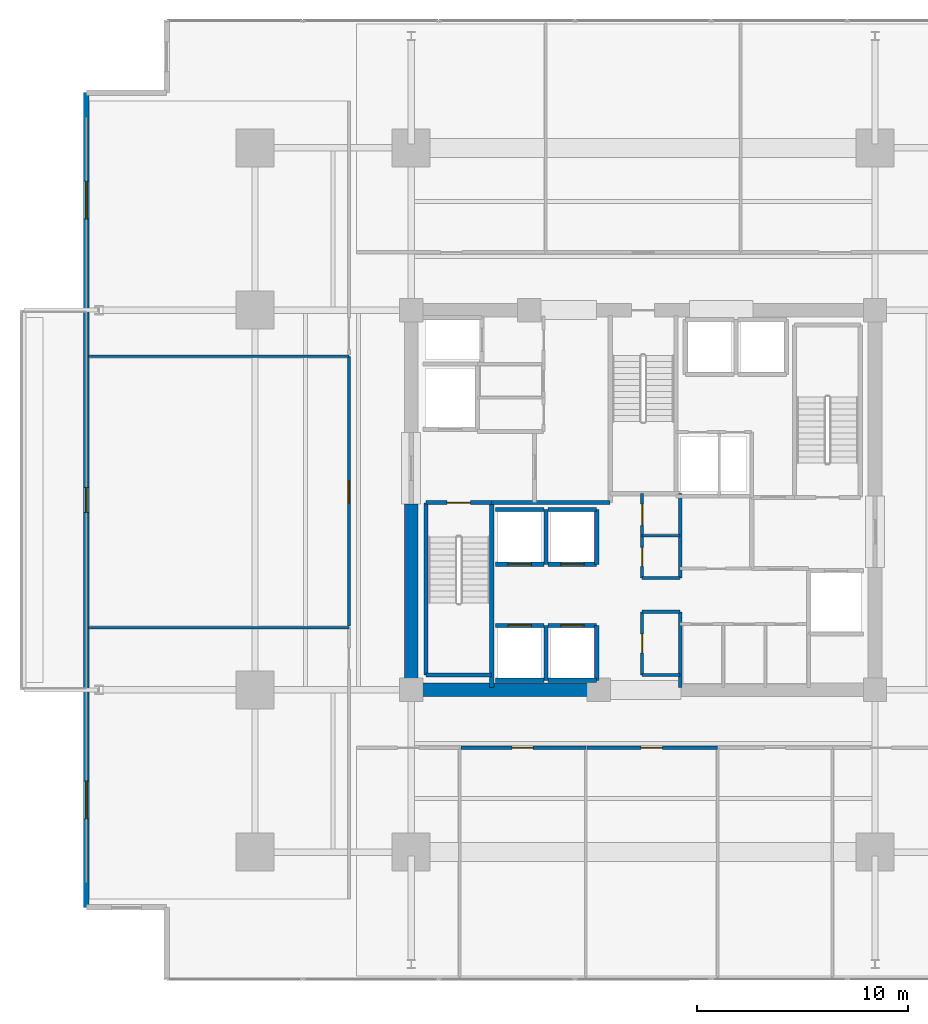
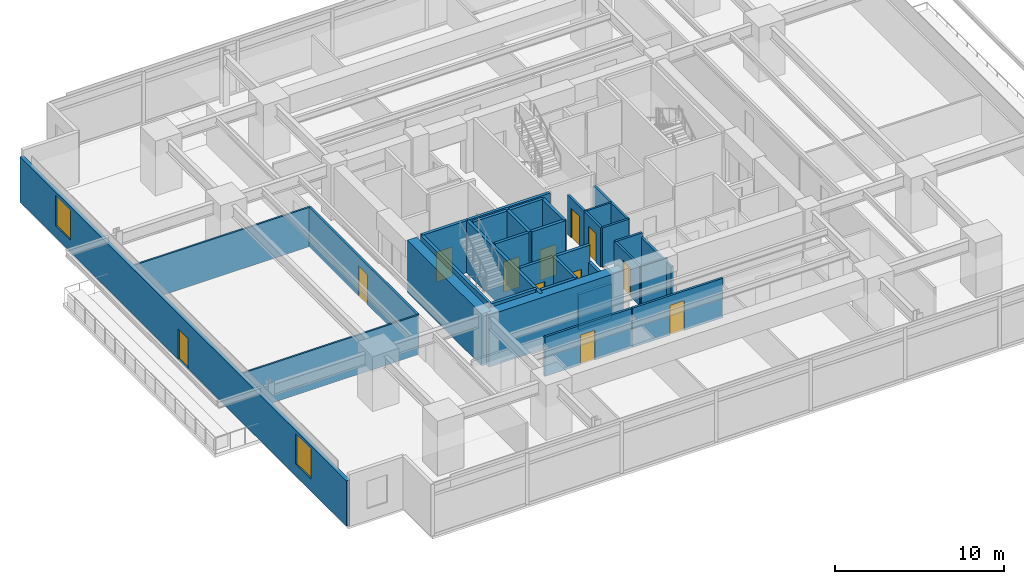
# One storey, part 15 of 22: 34 walls, 12 doors, 2 windows, 14 openings.
"""IFC4 building model written with IfcOpenShell, lengths in metres."""

from ifc_helpers import new_model, si_unit, direction, frame, frame_2d, origin, place, context, subcontext, project, spatial, rectangle, extrude, material, layer, layer_set, type_object, element, fill, save


model = new_model("IFC4")

# Units and contexts
model_context = context("Model", 3, precision=1e-05, world=origin(), true_north=direction((0.0, 1.0)))
body_context = subcontext(model_context, "Body", "Model", "MODEL_VIEW")
ifc_project = project(units=[si_unit("LENGTHUNIT", "METRE"), si_unit("AREAUNIT", "SQUARE_METRE"), si_unit("VOLUMEUNIT", "CUBIC_METRE"), si_unit("PLANEANGLEUNIT", "RADIAN"), si_unit("MASSUNIT", "GRAM", prefix="KILO")], contexts=[model_context])

# Site, building, storey
site_placement = place(None, origin())
site = spatial("IfcSite", under=ifc_project, at=site_placement, CompositionType="ELEMENT")
building_placement = place(site_placement, origin())
building = spatial("IfcBuilding", under=site, at=building_placement, Name="Kovane Verandah Tower", CompositionType="ELEMENT")
storey_placement = place(building_placement, frame((0.0, 0.0, 99.60009765625)))
storey = spatial("IfcBuildingStorey", under=building, at=storey_placement, Name="L23", CompositionType="ELEMENT", Elevation=99.60009765625)

# Walls
ifc_material_1 = material(Name="Fire-Rated Gypsum Stud Partition", Category="gypsum")
ifc_layer_1 = layer(ifc_material_1, 0.14990234375)
ifc_layer_set_1 = layer_set([ifc_layer_1], Name="Fire-Rated Gypsum Stud Partition")
wall_type_1 = type_object("IfcWallType", Name="WL-COR-150", PredefinedType="PARTITIONING", material=ifc_layer_set_1)
for number, where, z_axis, x_axis, name in (
    (1, (39.949951171875, 19.199951171875, 0.0), (0.0, 0.0, 1.0), (1.0, 0.0, 0.0), "L23 Central Core Strip South Wall"),
    (2, (39.949951171875, 22.199951171875, 0.0), (0.0, 0.0, 1.0), (1.0, 0.0, 0.0), "L23 Core Cross-Passage South Wall"),
    (3, (39.949951171875, 23.800048828125, 0.0), (0.0, 0.0, 1.0), (1.0, 0.0, 0.0), "L23 Core Cross-Passage North Wall"),
):
    element("IfcWall", number, at=place(storey_placement, frame(where, z_axis=z_axis, x_axis=x_axis)), inside=storey, type_object=wall_type_1, Name=name, PredefinedType="PARTITIONING", context=body_context, shape_type="SweptSolid", body=[
        extrude(rectangle(XDim=1.81005859375, YDim=0.14990234375, at=frame_2d((0.905029296875, 0.0))), origin(), (0.0, 0.0, 1.0), 2.849853515625),
    ])
wall_1_placement = place(storey_placement, frame((41.760009765625, 18.60009765625, 0.0), z_axis=(0.0, 0.0, 1.0), x_axis=(0.0, 1.0, 0.0)))
element("IfcWall", 4, at=wall_1_placement, inside=storey, type_object=wall_type_1, Name="L23 Central Core Strip Lower East Wall", PredefinedType="PARTITIONING", context=body_context, shape_type="SweptSolid", body=[
    extrude(rectangle(XDim=3.599853515625, YDim=0.14990234375, at=frame_2d((1.7998046875, 0.0))), origin(), (0.0, 0.0, 1.0), 2.539794921875),
])
wall_2_placement = place(storey_placement, frame((41.760009765625, 23.800048828125, 0.0), z_axis=(0.0, 0.0, 1.0), x_axis=(0.0, 1.0, 0.0)))
element("IfcWall", 5, at=wall_2_placement, inside=storey, type_object=wall_type_1, Name="L23 Central Core Strip Upper East Wall", PredefinedType="PARTITIONING", context=body_context, shape_type="SweptSolid", body=[
    extrude(rectangle(XDim=4.0, YDim=0.14990234375, at=frame_2d((2.0, 0.0))), origin(), (0.0, 0.0, 1.0), 2.849853515625),
])

# Wall, opening, door
wall_3_placement = place(storey_placement, frame((39.949951171875, 19.199951171875, 0.0), z_axis=(0.0, 0.0, 1.0), x_axis=(0.0, 1.0, 0.0)))
wall_3 = element("IfcWall", 6, at=wall_3_placement, inside=storey, type_object=wall_type_1, Name="L23 Male Toilet Partition", PredefinedType="PARTITIONING", context=body_context, shape_type="SweptSolid", body=[
    extrude(rectangle(XDim=3.0, YDim=0.14990234375, at=frame_2d((1.5, 0.0))), origin(), (0.0, 0.0, 1.0), 2.849853515625),
])
opening_1_placement = place(wall_3_placement, frame((1.050048828125, 0.0, 0.0)))
opening_1 = element("IfcOpeningElement", 7, at=opening_1_placement, cuts=wall_3, Name="Opening DR-L23-032", PredefinedType="OPENING", context=body_context, shape_type="SweptSolid", body=[
    extrude(rectangle(XDim=0.89990234375, YDim=2.10009765625, at=frame_2d((0.449951171875, 1.050048828125))), frame((0.0, 0.074951171875, 0.0), z_axis=(0.0, -1.0, 0.0), x_axis=(1.0, 0.0, 0.0)), (0.0, 0.0, 1.0), 0.14990234375),
])
ifc_material_2 = material(Name="Moisture-Resistant Laminate Washroom Door", Category="wood")
door_type_1 = type_object("IfcDoorType", Name="DR-WC-900", OperationType="SINGLE_SWING_LEFT", PredefinedType="DOOR", material=ifc_material_2)
door_1_placement = place(opening_1_placement, origin())
door_1 = element("IfcDoor", 8, at=door_1_placement, inside=storey, type_object=door_type_1, Name="L23 Male Toilet Door", OperationType="SINGLE_SWING_LEFT", OverallHeight=2.10009765625, OverallWidth=0.89990234375, PredefinedType="DOOR", context=body_context, shape_type="SweptSolid", body=[
    extrude(rectangle(XDim=0.89990234375, YDim=2.10009765625, at=frame_2d((0.449951171875, 1.050048828125))), frame((0.0, 0.02490234375, 0.0), z_axis=(0.0, -1.0, 0.0), x_axis=(1.0, 0.0, 0.0)), (0.0, 0.0, 1.0), 0.050048828125),
])
fill(opening_1, door_1)

wall_4_placement = place(storey_placement, frame((39.949951171875, 23.800048828125, 0.0), z_axis=(0.0, 0.0, 1.0), x_axis=(0.0, 1.0, 0.0)))
wall_4 = element("IfcWall", 9, at=wall_4_placement, inside=storey, type_object=wall_type_1, Name="L23 Female Toilet Partition", PredefinedType="PARTITIONING", context=body_context, shape_type="SweptSolid", body=[
    extrude(rectangle(XDim=2.0, YDim=0.14990234375, at=frame_2d((1.0, 0.0))), origin(), (0.0, 0.0, 1.0), 2.849853515625),
])
opening_2_placement = place(wall_4_placement, frame((0.550048828125, 0.0, 0.0)))
opening_2 = element("IfcOpeningElement", 10, at=opening_2_placement, cuts=wall_4, Name="Opening DR-L23-031", PredefinedType="OPENING", context=body_context, shape_type="SweptSolid", body=[
    extrude(rectangle(XDim=0.89990234375, YDim=2.10009765625, at=frame_2d((0.449951171875, 1.050048828125))), frame((0.0, 0.074951171875, 0.0), z_axis=(0.0, -1.0, 0.0), x_axis=(1.0, 0.0, 0.0)), (0.0, 0.0, 1.0), 0.14990234375),
])
door_2_placement = place(opening_2_placement, origin())
door_2 = element("IfcDoor", 11, at=door_2_placement, inside=storey, type_object=door_type_1, Name="L23 Female Toilet Door", OperationType="SINGLE_SWING_RIGHT", OverallHeight=2.10009765625, OverallWidth=0.89990234375, PredefinedType="DOOR", context=body_context, shape_type="SweptSolid", body=[
    extrude(rectangle(XDim=0.89990234375, YDim=2.10009765625, at=frame_2d((0.449951171875, 1.050048828125))), frame((0.0, 0.02490234375, 0.0), z_axis=(0.0, -1.0, 0.0), x_axis=(1.0, 0.0, 0.0)), (0.0, 0.0, 1.0), 0.050048828125),
])
fill(opening_2, door_2)

wall_5_placement = place(storey_placement, frame((39.949951171875, 25.800048828125, 0.0), z_axis=(0.0, 0.0, 1.0), x_axis=(0.0, 1.0, 0.0)))
wall_5 = element("IfcWall", 12, at=wall_5_placement, inside=storey, type_object=wall_type_1, Name="L23 Central First Aid and Wellness Room Partition", PredefinedType="PARTITIONING", context=body_context, shape_type="SweptSolid", body=[
    extrude(rectangle(XDim=2.0, YDim=0.14990234375, at=frame_2d((1.0, 0.0))), origin(), (0.0, 0.0, 1.0), 2.849853515625),
])
opening_3_placement = place(wall_5_placement, frame((0.5, 0.0, 0.0)))
opening_3 = element("IfcOpeningElement", 13, at=opening_3_placement, cuts=wall_5, Name="Opening DR-L23-029", PredefinedType="OPENING", context=body_context, shape_type="SweptSolid", body=[
    extrude(rectangle(XDim=1.0, YDim=2.14990234375, at=frame_2d((0.5, 1.074951171875))), frame((0.0, 0.074951171875, 0.0), z_axis=(0.0, -1.0, 0.0), x_axis=(1.0, 0.0, 0.0)), (0.0, 0.0, 1.0), 0.14990234375),
])
ifc_material_3 = material(Name="FSC Spotted-Gum Timber Fire-Rated Office Door", Category="wood")
door_type_2 = type_object("IfcDoorType", Name="DR-OFF-1000", OperationType="SINGLE_SWING_LEFT", PredefinedType="DOOR", material=ifc_material_3)
door_3_placement = place(opening_3_placement, origin())
door_3 = element("IfcDoor", 14, at=door_3_placement, inside=storey, type_object=door_type_2, Name="L23 Central First Aid and Wellness Room Door", OperationType="SINGLE_SWING_LEFT", OverallHeight=2.14990234375, OverallWidth=1.0, PredefinedType="DOOR", context=body_context, shape_type="SweptSolid", body=[
    extrude(rectangle(XDim=1.0, YDim=2.14990234375, at=frame_2d((0.5, 1.074951171875))), frame((0.0, 0.02490234375, 0.0), z_axis=(0.0, -1.0, 0.0), x_axis=(1.0, 0.0, 0.0)), (0.0, 0.0, 1.0), 0.050048828125),
])
fill(opening_3, door_3)

wall_6_placement = place(storey_placement, frame((31.365966796875, 15.75, 0.0), z_axis=(0.0, 0.0, 1.0), x_axis=(1.0, 0.0, 0.0)))
wall_6 = element("IfcWall", 15, at=wall_6_placement, inside=storey, type_object=wall_type_1, Name="L23 Focus Studio S2 Corridor Partition", PredefinedType="PARTITIONING", context=body_context, shape_type="SweptSolid", body=[
    extrude(rectangle(XDim=5.9140625, YDim=0.14990234375, at=frame_2d((2.95703125, 0.0))), origin(), (0.0, 0.0, 1.0), 2.849853515625),
])
opening_4_placement = place(wall_6_placement, frame((2.422119140625, 0.0, 0.0)))
opening_4 = element("IfcOpeningElement", 16, at=opening_4_placement, cuts=wall_6, Name="Opening DR-L23-025", PredefinedType="OPENING", context=body_context, shape_type="SweptSolid", body=[
    extrude(rectangle(XDim=1.0, YDim=2.14990234375, at=frame_2d((0.5, 1.074951171875))), frame((0.0, 0.074951171875, 0.0), z_axis=(0.0, -1.0, 0.0), x_axis=(1.0, 0.0, 0.0)), (0.0, 0.0, 1.0), 0.14990234375),
])
door_4_placement = place(opening_4_placement, origin())
door_4 = element("IfcDoor", 17, at=door_4_placement, inside=storey, type_object=door_type_2, Name="L23 Focus Studio S2 Entrance Door", OperationType="SINGLE_SWING_LEFT", OverallHeight=2.14990234375, OverallWidth=1.0, PredefinedType="DOOR", context=body_context, shape_type="SweptSolid", body=[
    extrude(rectangle(XDim=1.0, YDim=2.14990234375, at=frame_2d((0.5, 1.074951171875))), frame((0.0, 0.02490234375, 0.0), z_axis=(0.0, -1.0, 0.0), x_axis=(1.0, 0.0, 0.0)), (0.0, 0.0, 1.0), 0.050048828125),
])
fill(opening_4, door_4)

wall_7_placement = place(storey_placement, frame((37.35009765625, 15.75, 0.0), z_axis=(0.0, 0.0, 1.0), x_axis=(1.0, 0.0, 0.0)))
wall_7 = element("IfcWall", 18, at=wall_7_placement, inside=storey, type_object=wall_type_1, Name="L23 Breakout Pantry S3 Corridor Partition", PredefinedType="PARTITIONING", context=body_context, shape_type="SweptSolid", body=[
    extrude(rectangle(XDim=6.185791015625, YDim=0.14990234375, at=frame_2d((3.0927734375, 0.0))), origin(), (0.0, 0.0, 1.0), 2.849853515625),
])
opening_5_placement = place(wall_7_placement, frame((2.55810546875, 0.0, 0.0)))
opening_5 = element("IfcOpeningElement", 19, at=opening_5_placement, cuts=wall_7, Name="Opening DR-L23-026", PredefinedType="OPENING", context=body_context, shape_type="SweptSolid", body=[
    extrude(rectangle(XDim=1.0, YDim=2.14990234375, at=frame_2d((0.5, 1.074951171875))), frame((0.0, 0.074951171875, 0.0), z_axis=(0.0, -1.0, 0.0), x_axis=(1.0, 0.0, 0.0)), (0.0, 0.0, 1.0), 0.14990234375),
])
door_5_placement = place(opening_5_placement, origin())
door_5 = element("IfcDoor", 20, at=door_5_placement, inside=storey, type_object=door_type_2, Name="L23 Breakout Pantry S3 Entrance Door", OperationType="SINGLE_SWING_RIGHT", OverallHeight=2.14990234375, OverallWidth=1.0, PredefinedType="DOOR", context=body_context, shape_type="SweptSolid", body=[
    extrude(rectangle(XDim=1.0, YDim=2.14990234375, at=frame_2d((0.5, 1.074951171875))), frame((0.0, 0.02490234375, 0.0), z_axis=(0.0, -1.0, 0.0), x_axis=(1.0, 0.0, 0.0)), (0.0, 0.0, 1.0), 0.050048828125),
])
fill(opening_5, door_5)

wall_8_placement = place(storey_placement, frame((26.050048828125, 21.515869140625, 0.0), z_axis=(0.0, 0.0, 1.0), x_axis=(0.0, 1.0, 0.0)))
wall_8 = element("IfcWall", 21, at=wall_8_placement, inside=storey, type_object=wall_type_1, Name="L23 Executive Office W2 Corridor Partition", PredefinedType="PARTITIONING", context=body_context, shape_type="SweptSolid", body=[
    extrude(rectangle(XDim=12.794921875, YDim=0.14990234375, at=frame_2d((6.3974609375, 0.0))), origin(), (0.0, 0.0, 1.0), 2.849853515625),
])
opening_6_placement = place(wall_8_placement, frame((5.83740234375, 0.0, 0.0)))
opening_6 = element("IfcOpeningElement", 22, at=opening_6_placement, cuts=wall_8, Name="Opening DR-L23-034", PredefinedType="OPENING", context=body_context, shape_type="SweptSolid", body=[
    extrude(rectangle(XDim=1.050048828125, YDim=2.199951171875, at=frame_2d((0.52490234375, 1.10009765625))), frame((0.0, 0.074951171875, 0.0), z_axis=(0.0, -1.0, 0.0), x_axis=(1.0, 0.0, 0.0)), (0.0, 0.0, 1.0), 0.14990234375),
])
ifc_material_4 = material(Name="FSC Blackbutt Timber Fire-Rated Executive Door", Category="wood")
door_type_3 = type_object("IfcDoorType", Name="DR-EXEC-1050", OperationType="SINGLE_SWING_LEFT", PredefinedType="DOOR", material=ifc_material_4)
door_6_placement = place(opening_6_placement, origin())
door_6 = element("IfcDoor", 23, at=door_6_placement, inside=storey, type_object=door_type_3, Name="L23 Executive Office W2 Entrance Door", OperationType="SINGLE_SWING_RIGHT", OverallHeight=2.199951171875, OverallWidth=1.050048828125, PredefinedType="DOOR", context=body_context, shape_type="SweptSolid", body=[
    extrude(rectangle(XDim=1.050048828125, YDim=2.199951171875, at=frame_2d((0.52490234375, 1.10009765625))), frame((0.0, 0.02490234375, 0.0), z_axis=(0.0, -1.0, 0.0), x_axis=(1.0, 0.0, 0.0)), (0.0, 0.0, 1.0), 0.050048828125),
])
fill(opening_6, door_6)

# Walls
ifc_material_5 = material(Name="Concrete C80/95", Category="concrete")
ifc_layer_2 = layer(ifc_material_5, 0.64990234375)
ifc_layer_set_2 = layer_set([ifc_layer_2], Name="Concrete C80/95")
wall_type_2 = type_object("IfcWallType", Name="WL-CORE-650", PredefinedType="SHEAR", material=ifc_layer_set_2)
wall_9_placement = place(storey_placement, frame((29.0, 18.5, 0.0), z_axis=(0.0, 0.0, 1.0), x_axis=(1.0, 0.0, 0.0)))
element("IfcWall", 24, at=wall_9_placement, inside=storey, type_object=wall_type_2, Name="L23 Core Shear Wall CS-1", PredefinedType="SHEAR", context=body_context, shape_type="SweptSolid", body=[
    extrude(rectangle(XDim=9.199951171875, YDim=0.64990234375, at=frame_2d((4.60009765625, 0.0))), origin(), (0.0, 0.0, 1.0), 3.760009765625),
])
wall_10_placement = place(storey_placement, frame((29.0, 18.5, 0.0), z_axis=(0.0, 0.0, 1.0), x_axis=(0.0, 1.0, 0.0)))
element("IfcWall", 25, at=wall_10_placement, inside=storey, type_object=wall_type_2, Name="L23 Core Shear Wall CW-1", PredefinedType="SHEAR", context=body_context, shape_type="SweptSolid", body=[
    extrude(rectangle(XDim=8.800048828125, YDim=0.64990234375, at=frame_2d((4.39990234375, 0.0))), origin(), (0.0, 0.0, 1.0), 3.760009765625),
])
ifc_material_6 = material(Name="Concrete C45/55 Fire Wall", Category="concrete")
ifc_layer_3 = layer(ifc_material_6, 0.199951171875)
ifc_layer_set_3 = layer_set([ifc_layer_3], Name="Concrete C45/55 Fire Wall")
wall_type_3 = type_object("IfcWallType", Name="WL-FFL-200", PredefinedType="PARTITIONING", material=ifc_layer_set_3)
wall_11_placement = place(storey_placement, frame((32.820068359375, 27.3798828125, 0.0), z_axis=(0.0, 0.0, 1.0), x_axis=(1.0, 0.0, 0.0)))
element("IfcWall", 26, at=wall_11_placement, inside=storey, type_object=wall_type_3, Name="L23 West Firefighting Lobby South Fire Wall", PredefinedType="PARTITIONING", context=body_context, shape_type="SweptSolid", body=[
    extrude(rectangle(XDim=5.619873046875, YDim=0.199951171875, at=frame_2d((2.81005859375, 0.0))), origin(), (0.0, 0.0, 1.0), 3.760009765625),
])
ifc_material_7 = material(Name="Concrete C45/55 Lift Shaft Wall", Category="concrete")
ifc_layer_4 = layer(ifc_material_7, 0.199951171875)
ifc_layer_set_4 = layer_set([ifc_layer_4], Name="Concrete C45/55 Lift Shaft Wall")
wall_type_4 = type_object("IfcWallType", Name="WL-LIFT-200", PredefinedType="SOLIDWALL", material=ifc_layer_set_4)
wall_12_placement = place(storey_placement, frame((33.0, 18.949951171875, 0.0), z_axis=(0.0, 0.0, 1.0), x_axis=(1.0, 0.0, 0.0)))
element("IfcWall", 27, at=wall_12_placement, inside=storey, type_object=wall_type_4, Name="L23 Lift PL-L1 S Shaft Wall", PredefinedType="SOLIDWALL", context=body_context, shape_type="SweptSolid", body=[
    extrude(rectangle(XDim=2.300048828125, YDim=0.199951171875, at=frame_2d((1.14990234375, 0.0))), origin(), (0.0, 0.0, 1.0), 3.760009765625),
])

# Wall, opening, door
wall_13_placement = place(storey_placement, frame((35.300048828125, 21.550048828125, 0.0), z_axis=(0.0, 0.0, 1.0), x_axis=(-1.0, 0.0, 0.0)))
wall_13 = element("IfcWall", 28, at=wall_13_placement, inside=storey, type_object=wall_type_4, Name="L23 Lift PL-L1 N Shaft Wall", PredefinedType="SOLIDWALL", context=body_context, shape_type="SweptSolid", body=[
    extrude(rectangle(XDim=2.300048828125, YDim=0.199951171875, at=frame_2d((1.14990234375, 0.0))), origin(), (0.0, 0.0, 1.0), 3.760009765625),
])
opening_7_placement = place(wall_13_placement, frame((0.60009765625, 0.0, 0.0)))
opening_7 = element("IfcOpeningElement", 29, at=opening_7_placement, cuts=wall_13, Name="Opening LD-L23-004", PredefinedType="OPENING", context=body_context, shape_type="SweptSolid", body=[
    extrude(rectangle(XDim=1.10009765625, YDim=2.199951171875, at=frame_2d((0.550048828125, 1.10009765625))), frame((0.0, 0.10009765625, 0.0), z_axis=(0.0, -1.0, 0.0), x_axis=(1.0, 0.0, 0.0)), (0.0, 0.0, 1.0), 0.199951171875),
])
ifc_material_8 = material(Name="Brushed Stainless Steel Sliding Lift Landing Door", Category="steel")
door_type_4 = type_object("IfcDoorType", Name="DR-LIFT-1100", OperationType="SLIDING_TO_RIGHT", PredefinedType="DOOR", material=ifc_material_8)
door_7_placement = place(opening_7_placement, origin())
door_7 = element("IfcDoor", 30, at=door_7_placement, inside=storey, type_object=door_type_4, Name="L23 Lift PL-L1 Sliding Landing Door", OperationType="SLIDING_TO_RIGHT", OverallHeight=2.199951171875, OverallWidth=1.10009765625, PredefinedType="DOOR", context=body_context, shape_type="SweptSolid", body=[
    extrude(rectangle(XDim=1.10009765625, YDim=2.199951171875, at=frame_2d((0.550048828125, 1.10009765625))), frame((0.0, 0.02490234375, 0.0), z_axis=(0.0, -1.0, 0.0), x_axis=(1.0, 0.0, 0.0)), (0.0, 0.0, 1.0), 0.050048828125),
])
fill(opening_7, door_7)

# Walls
wall_14_placement = place(storey_placement, frame((35.39990234375, 18.949951171875, 0.0), z_axis=(0.0, 0.0, 1.0), x_axis=(0.0, 1.0, 0.0)))
element("IfcWall", 31, at=wall_14_placement, inside=storey, type_object=wall_type_4, Name="L23 Lift PL-L1 and PL-L2 Shared Shaft Wall", PredefinedType="SOLIDWALL", context=body_context, shape_type="SweptSolid", body=[
    extrude(rectangle(XDim=2.60009765625, YDim=0.199951171875, at=frame_2d((1.300048828125, 0.0))), origin(), (0.0, 0.0, 1.0), 3.760009765625),
])
wall_15_placement = place(storey_placement, frame((35.5, 18.949951171875, 0.0), z_axis=(0.0, 0.0, 1.0), x_axis=(1.0, 0.0, 0.0)))
element("IfcWall", 32, at=wall_15_placement, inside=storey, type_object=wall_type_4, Name="L23 Lift PL-L2 S Shaft Wall", PredefinedType="SOLIDWALL", context=body_context, shape_type="SweptSolid", body=[
    extrude(rectangle(XDim=2.300048828125, YDim=0.199951171875, at=frame_2d((1.14990234375, 0.0))), origin(), (0.0, 0.0, 1.0), 2.539794921875),
])

# Wall, opening, door
wall_16_placement = place(storey_placement, frame((37.800048828125, 21.550048828125, 0.0), z_axis=(0.0, 0.0, 1.0), x_axis=(-1.0, 0.0, 0.0)))
wall_16 = element("IfcWall", 33, at=wall_16_placement, inside=storey, type_object=wall_type_4, Name="L23 Lift PL-L2 N Shaft Wall", PredefinedType="SOLIDWALL", context=body_context, shape_type="SweptSolid", body=[
    extrude(rectangle(XDim=2.300048828125, YDim=0.199951171875, at=frame_2d((1.14990234375, 0.0))), origin(), (0.0, 0.0, 1.0), 3.760009765625),
])
opening_8_placement = place(wall_16_placement, frame((0.60009765625, 0.0, 0.0)))
opening_8 = element("IfcOpeningElement", 34, at=opening_8_placement, cuts=wall_16, Name="Opening LD-L23-005", PredefinedType="OPENING", context=body_context, shape_type="SweptSolid", body=[
    extrude(rectangle(XDim=1.10009765625, YDim=2.199951171875, at=frame_2d((0.550048828125, 1.10009765625))), frame((0.0, 0.10009765625, 0.0), z_axis=(0.0, -1.0, 0.0), x_axis=(1.0, 0.0, 0.0)), (0.0, 0.0, 1.0), 0.199951171875),
])
door_8_placement = place(opening_8_placement, origin())
door_8 = element("IfcDoor", 35, at=door_8_placement, inside=storey, type_object=door_type_4, Name="L23 Lift PL-L2 Sliding Landing Door", OperationType="SLIDING_TO_RIGHT", OverallHeight=2.199951171875, OverallWidth=1.10009765625, PredefinedType="DOOR", context=body_context, shape_type="SweptSolid", body=[
    extrude(rectangle(XDim=1.10009765625, YDim=2.199951171875, at=frame_2d((0.550048828125, 1.10009765625))), frame((0.0, 0.02490234375, 0.0), z_axis=(0.0, -1.0, 0.0), x_axis=(1.0, 0.0, 0.0)), (0.0, 0.0, 1.0), 0.050048828125),
])
fill(opening_8, door_8)

# Wall
wall_17_placement = place(storey_placement, frame((37.800048828125, 18.949951171875, 0.0), z_axis=(0.0, 0.0, 1.0), x_axis=(0.0, 1.0, 0.0)))
element("IfcWall", 36, at=wall_17_placement, inside=storey, type_object=wall_type_4, Name="L23 Lift PL-L2 E Shaft Wall", PredefinedType="SOLIDWALL", context=body_context, shape_type="SweptSolid", body=[
    extrude(rectangle(XDim=2.60009765625, YDim=0.199951171875, at=frame_2d((1.300048828125, 0.0))), origin(), (0.0, 0.0, 1.0), 2.539794921875),
])

# Wall, opening, door
wall_18_placement = place(storey_placement, frame((33.0, 24.449951171875, 0.0), z_axis=(0.0, 0.0, 1.0), x_axis=(1.0, 0.0, 0.0)))
wall_18 = element("IfcWall", 37, at=wall_18_placement, inside=storey, type_object=wall_type_4, Name="L23 Lift PL-L3 S Shaft Wall", PredefinedType="SOLIDWALL", context=body_context, shape_type="SweptSolid", body=[
    extrude(rectangle(XDim=2.300048828125, YDim=0.199951171875, at=frame_2d((1.14990234375, 0.0))), origin(), (0.0, 0.0, 1.0), 3.760009765625),
])
opening_9_placement = place(wall_18_placement, frame((0.60009765625, 0.0, 0.0)))
opening_9 = element("IfcOpeningElement", 38, at=opening_9_placement, cuts=wall_18, Name="Opening LD-L23-006", PredefinedType="OPENING", context=body_context, shape_type="SweptSolid", body=[
    extrude(rectangle(XDim=1.10009765625, YDim=2.199951171875, at=frame_2d((0.550048828125, 1.10009765625))), frame((0.0, 0.10009765625, 0.0), z_axis=(0.0, -1.0, 0.0), x_axis=(1.0, 0.0, 0.0)), (0.0, 0.0, 1.0), 0.199951171875),
])
door_9_placement = place(opening_9_placement, origin())
door_9 = element("IfcDoor", 39, at=door_9_placement, inside=storey, type_object=door_type_4, Name="L23 Lift PL-L3 Sliding Landing Door", OperationType="SLIDING_TO_RIGHT", OverallHeight=2.199951171875, OverallWidth=1.10009765625, PredefinedType="DOOR", context=body_context, shape_type="SweptSolid", body=[
    extrude(rectangle(XDim=1.10009765625, YDim=2.199951171875, at=frame_2d((0.550048828125, 1.10009765625))), frame((0.0, 0.02490234375, 0.0), z_axis=(0.0, -1.0, 0.0), x_axis=(1.0, 0.0, 0.0)), (0.0, 0.0, 1.0), 0.050048828125),
])
fill(opening_9, door_9)

# Walls
wall_19_placement = place(storey_placement, frame((35.300048828125, 27.050048828125, 0.0), z_axis=(0.0, 0.0, 1.0), x_axis=(-1.0, 0.0, 0.0)))
element("IfcWall", 40, at=wall_19_placement, inside=storey, type_object=wall_type_4, Name="L23 Lift PL-L3 N Shaft Wall", PredefinedType="SOLIDWALL", context=body_context, shape_type="SweptSolid", body=[
    extrude(rectangle(XDim=2.300048828125, YDim=0.199951171875, at=frame_2d((1.14990234375, 0.0))), origin(), (0.0, 0.0, 1.0), 3.760009765625),
])
wall_20_placement = place(storey_placement, frame((35.39990234375, 24.449951171875, 0.0), z_axis=(0.0, 0.0, 1.0), x_axis=(0.0, 1.0, 0.0)))
element("IfcWall", 41, at=wall_20_placement, inside=storey, type_object=wall_type_4, Name="L23 Lift PL-L3 and PL-L4 Shared Shaft Wall", PredefinedType="SOLIDWALL", context=body_context, shape_type="SweptSolid", body=[
    extrude(rectangle(XDim=2.60009765625, YDim=0.199951171875, at=frame_2d((1.300048828125, 0.0))), origin(), (0.0, 0.0, 1.0), 3.760009765625),
])

# Wall, opening, door
wall_21_placement = place(storey_placement, frame((35.5, 24.449951171875, 0.0), z_axis=(0.0, 0.0, 1.0), x_axis=(1.0, 0.0, 0.0)))
wall_21 = element("IfcWall", 42, at=wall_21_placement, inside=storey, type_object=wall_type_4, Name="L23 Lift PL-L4 S Shaft Wall", PredefinedType="SOLIDWALL", context=body_context, shape_type="SweptSolid", body=[
    extrude(rectangle(XDim=2.300048828125, YDim=0.199951171875, at=frame_2d((1.14990234375, 0.0))), origin(), (0.0, 0.0, 1.0), 3.760009765625),
])
opening_10_placement = place(wall_21_placement, frame((0.60009765625, 0.0, 0.0)))
opening_10 = element("IfcOpeningElement", 43, at=opening_10_placement, cuts=wall_21, Name="Opening LD-L23-007", PredefinedType="OPENING", context=body_context, shape_type="SweptSolid", body=[
    extrude(rectangle(XDim=1.10009765625, YDim=2.199951171875, at=frame_2d((0.550048828125, 1.10009765625))), frame((0.0, 0.10009765625, 0.0), z_axis=(0.0, -1.0, 0.0), x_axis=(1.0, 0.0, 0.0)), (0.0, 0.0, 1.0), 0.199951171875),
])
door_10_placement = place(opening_10_placement, origin())
door_10 = element("IfcDoor", 44, at=door_10_placement, inside=storey, type_object=door_type_4, Name="L23 Lift PL-L4 Sliding Landing Door", OperationType="SLIDING_TO_RIGHT", OverallHeight=2.199951171875, OverallWidth=1.10009765625, PredefinedType="DOOR", context=body_context, shape_type="SweptSolid", body=[
    extrude(rectangle(XDim=1.10009765625, YDim=2.199951171875, at=frame_2d((0.550048828125, 1.10009765625))), frame((0.0, 0.02490234375, 0.0), z_axis=(0.0, -1.0, 0.0), x_axis=(1.0, 0.0, 0.0)), (0.0, 0.0, 1.0), 0.050048828125),
])
fill(opening_10, door_10)

# Walls
wall_22_placement = place(storey_placement, frame((37.800048828125, 27.050048828125, 0.0), z_axis=(0.0, 0.0, 1.0), x_axis=(-1.0, 0.0, 0.0)))
element("IfcWall", 45, at=wall_22_placement, inside=storey, type_object=wall_type_4, Name="L23 Lift PL-L4 N Shaft Wall", PredefinedType="SOLIDWALL", context=body_context, shape_type="SweptSolid", body=[
    extrude(rectangle(XDim=2.300048828125, YDim=0.199951171875, at=frame_2d((1.14990234375, 0.0))), origin(), (0.0, 0.0, 1.0), 3.760009765625),
])
wall_23_placement = place(storey_placement, frame((37.800048828125, 24.449951171875, 0.0), z_axis=(0.0, 0.0, 1.0), x_axis=(0.0, 1.0, 0.0)))
element("IfcWall", 46, at=wall_23_placement, inside=storey, type_object=wall_type_4, Name="L23 Lift PL-L4 E Shaft Wall", PredefinedType="SOLIDWALL", context=body_context, shape_type="SweptSolid", body=[
    extrude(rectangle(XDim=2.60009765625, YDim=0.199951171875, at=frame_2d((1.300048828125, 0.0))), origin(), (0.0, 0.0, 1.0), 3.760009765625),
])
ifc_material_9 = material(Name="Acoustic Fire-Rated Gypsum Partition", Category="gypsum")
ifc_layer_5 = layer(ifc_material_9, 0.1201171875)
ifc_layer_set_5 = layer_set([ifc_layer_5], Name="Acoustic Fire-Rated Gypsum Partition")
wall_type_5 = type_object("IfcWallType", Name="WL-PART-120", PredefinedType="PARTITIONING", material=ifc_layer_set_5)
wall_24_placement = place(storey_placement, frame((39.949951171875, 25.800048828125, 0.0), z_axis=(0.0, 0.0, 1.0), x_axis=(1.0, 0.0, 0.0)))
element("IfcWall", 47, at=wall_24_placement, inside=storey, type_object=wall_type_5, Name="L23 Central Core Strip Upper Dividing Partition", PredefinedType="PARTITIONING", context=body_context, shape_type="SweptSolid", body=[
    extrude(rectangle(XDim=1.81005859375, YDim=0.1201171875, at=frame_2d((0.905029296875, 0.0))), origin(), (0.0, 0.0, 1.0), 2.849853515625),
])
for number, where, z_axis, x_axis, name in (
    (48, (13.701416015625, 21.44580078125, 0.0), (0.0, 0.0, 1.0), (1.0, 0.0, 0.0), "L23 Open Plan Office W1 Dividing Partition"),
    (49, (13.701416015625, 34.310791015625, 0.0), (0.0, 0.0, 1.0), (1.0, 0.0, 0.0), "L23 Executive Office W2 Dividing Partition"),
):
    element("IfcWall", number, at=place(storey_placement, frame(where, z_axis=z_axis, x_axis=x_axis)), inside=storey, type_object=wall_type_5, Name=name, PredefinedType="PARTITIONING", context=body_context, shape_type="SweptSolid", body=[
        extrude(rectangle(XDim=12.3486328125, YDim=0.1201171875, at=frame_2d((6.17431640625, 0.0))), origin(), (0.0, 0.0, 1.0), 2.849853515625),
    ])
ifc_material_10 = material(Name="Concrete C45/55", Category="concrete")
ifc_layer_6 = layer(ifc_material_10, 0.199951171875)
ifc_layer_set_6 = layer_set([ifc_layer_6], Name="Concrete C45/55")
wall_type_6 = type_object("IfcWallType", Name="WL-SHAFT-200", PredefinedType="SOLIDWALL", material=ifc_layer_set_6)
wall_25_placement = place(storey_placement, frame((29.699951171875, 19.199951171875, 0.0), z_axis=(0.0, 0.0, 1.0), x_axis=(0.0, 1.0, 0.0)))
element("IfcWall", 50, at=wall_25_placement, inside=storey, type_object=wall_type_6, Name="W-L23-ST01-W", PredefinedType="SOLIDWALL", context=body_context, shape_type="SweptSolid", body=[
    extrude(rectangle(XDim=8.150146484375, YDim=0.199951171875, at=frame_2d((4.0751953125, 0.0))), origin(), (0.0, 0.0, 1.0), 3.760009765625),
])
wall_26_placement = place(storey_placement, frame((29.699951171875, 19.199951171875, 0.0), z_axis=(0.0, 0.0, 1.0), x_axis=(1.0, 0.0, 0.0)))
element("IfcWall", 51, at=wall_26_placement, inside=storey, type_object=wall_type_6, Name="W-L23-ST01-S", PredefinedType="SOLIDWALL", context=body_context, shape_type="SweptSolid", body=[
    extrude(rectangle(XDim=3.1201171875, YDim=0.199951171875, at=frame_2d((1.56005859375, 0.0))), origin(), (0.0, 0.0, 1.0), 3.760009765625),
])
wall_27_placement = place(storey_placement, frame((32.820068359375, 18.60009765625, 0.0), z_axis=(0.0, 0.0, 1.0), x_axis=(0.0, 1.0, 0.0)))
element("IfcWall", 52, at=wall_27_placement, inside=storey, type_object=wall_type_6, Name="W-L23-ST01-E", PredefinedType="SOLIDWALL", context=body_context, shape_type="SweptSolid", body=[
    extrude(rectangle(XDim=8.77978515625, YDim=0.199951171875, at=frame_2d((4.389892578125, 0.0))), origin(), (0.0, 0.0, 1.0), 3.760009765625),
])

# Wall, opening, door
wall_28_placement = place(storey_placement, frame((29.699951171875, 27.3798828125, 0.0), z_axis=(0.0, 0.0, 1.0), x_axis=(1.0, 0.0, 0.0)))
wall_28 = element("IfcWall", 53, at=wall_28_placement, inside=storey, type_object=wall_type_6, Name="W-L23-ST01-N", PredefinedType="SOLIDWALL", context=body_context, shape_type="SweptSolid", body=[
    extrude(rectangle(XDim=3.1201171875, YDim=0.199951171875, at=frame_2d((1.56005859375, 0.0))), origin(), (0.0, 0.0, 1.0), 3.760009765625),
])
opening_11_placement = place(wall_28_placement, frame((1.010009765625, 0.0, 0.0)))
opening_11 = element("IfcOpeningElement", 54, at=opening_11_placement, cuts=wall_28, Name="Opening DR-L23-009", PredefinedType="OPENING", context=body_context, shape_type="SweptSolid", body=[
    extrude(rectangle(XDim=1.10009765625, YDim=2.14990234375, at=frame_2d((0.550048828125, 1.074951171875))), frame((0.0, 0.10009765625, 0.0), z_axis=(0.0, -1.0, 0.0), x_axis=(1.0, 0.0, 0.0)), (0.0, 0.0, 1.0), 0.199951171875),
])
ifc_material_11 = material(Name="Fire-Rated Steel Exit Door", Category="steel")
door_type_5 = type_object("IfcDoorType", Name="DR-STAIR-1100", OperationType="SINGLE_SWING_LEFT", PredefinedType="DOOR", material=ifc_material_11)
door_11_placement = place(opening_11_placement, origin())
door_11 = element("IfcDoor", 55, at=door_11_placement, inside=storey, type_object=door_type_5, Name="L23 ST-01 Fire Exit Stair Door", OperationType="SINGLE_SWING_RIGHT", OverallHeight=2.14990234375, OverallWidth=1.10009765625, PredefinedType="DOOR", context=body_context, shape_type="SweptSolid", body=[
    extrude(rectangle(XDim=1.10009765625, YDim=2.14990234375, at=frame_2d((0.550048828125, 1.074951171875))), frame((0.0, 0.02490234375, 0.0), z_axis=(0.0, -1.0, 0.0), x_axis=(1.0, 0.0, 0.0)), (0.0, 0.0, 1.0), 0.050048828125),
])
fill(opening_11, door_11)

# Wall, openings, door, windows
ifc_material_12 = material(Name="Concrete C45/55 Insulated Spandrel Wall", Category="concrete")
ifc_layer_7 = layer(ifc_material_12, 0.260009765625)
ifc_layer_set_7 = layer_set([ifc_layer_7], Name="Concrete C45/55 Insulated Spandrel Wall")
wall_type_7 = type_object("IfcWallType", Name="WL-SPANDREL-260", PredefinedType="PARAPET", material=ifc_layer_set_7)
wall_29_placement = place(storey_placement, frame((13.601318359375, 46.819091796875, 0.0), z_axis=(0.0, 0.0, 1.0), x_axis=(0.0, -1.0, 0.0)))
wall_29 = element("IfcWall", 56, at=wall_29_placement, inside=storey, type_object=wall_type_7, Name="L23 W Verandah Access Facade Wall", PredefinedType="PARAPET", context=body_context, shape_type="SweptSolid", body=[
    extrude(rectangle(XDim=38.63818359375, YDim=0.260009765625, at=frame_2d((19.319091796875, 0.0))), origin(), (0.0, 0.0, 1.0), 3.272705078125),
])
opening_12_placement = place(wall_29_placement, frame((4.199951171875, 0.0, 0.85009765625)))
opening_12 = element("IfcOpeningElement", 57, at=opening_12_placement, cuts=wall_29, Name="Opening W-03", PredefinedType="OPENING", context=body_context, shape_type="SweptSolid", body=[
    extrude(rectangle(XDim=1.800048828125, YDim=2.199951171875, at=frame_2d((0.89990234375, 1.10009765625))), frame((0.0, 0.1298828125, 0.0), z_axis=(0.0, -1.0, 0.0), x_axis=(1.0, 0.0, 0.0)), (0.0, 0.0, 1.0), 0.260009765625),
])
opening_13_placement = place(wall_29_placement, frame((18.718994140625, 0.0, 0.0)))
opening_13 = element("IfcOpeningElement", 58, at=opening_13_placement, cuts=wall_29, Name="Opening DR-L23-002", PredefinedType="OPENING", context=body_context, shape_type="SweptSolid", body=[
    extrude(rectangle(XDim=1.199951171875, YDim=2.199951171875, at=frame_2d((0.60009765625, 1.10009765625))), frame((0.0, 0.1298828125, 0.0), z_axis=(0.0, -1.0, 0.0), x_axis=(1.0, 0.0, 0.0)), (0.0, 0.0, 1.0), 0.260009765625),
])
opening_14_placement = place(wall_29_placement, frame((32.637939453125, 0.0, 0.85009765625)))
opening_14 = element("IfcOpeningElement", 59, at=opening_14_placement, cuts=wall_29, Name="Opening W-03", PredefinedType="OPENING", context=body_context, shape_type="SweptSolid", body=[
    extrude(rectangle(XDim=1.800048828125, YDim=2.199951171875, at=frame_2d((0.89990234375, 1.10009765625))), frame((0.0, 0.1298828125, 0.0), z_axis=(0.0, -1.0, 0.0), x_axis=(1.0, 0.0, 0.0)), (0.0, 0.0, 1.0), 0.260009765625),
])
ifc_material_13 = material(Name="Cyclone-Rated Glazed Balcony Leaf Door", Category="aluminium")
door_type_6 = type_object("IfcDoorType", Name="DR-BAL-1200x2200", OperationType="SINGLE_SWING_LEFT", PredefinedType="DOOR", material=ifc_material_13)
door_12_placement = place(opening_13_placement, origin())
door_12 = element("IfcDoor", 60, at=door_12_placement, inside=storey, type_object=door_type_6, Name="L23 W Planted Balcony Access Door", OperationType="SINGLE_SWING_LEFT", OverallHeight=2.199951171875, OverallWidth=1.199951171875, PredefinedType="DOOR", context=body_context, shape_type="SweptSolid", body=[
    extrude(rectangle(XDim=1.199951171875, YDim=2.199951171875, at=frame_2d((0.60009765625, 1.10009765625))), frame((0.0, 0.02490234375, 0.0), z_axis=(0.0, -1.0, 0.0), x_axis=(1.0, 0.0, 0.0)), (0.0, 0.0, 1.0), 0.050048828125),
])
fill(opening_13, door_12)
ifc_material_14 = material(Name="Clear Low-E Laminated Double Glazing in Anodised Frame", Category="glass")
window_type = type_object("IfcWindowType", Name="WN-NOTCH-1800x2200", PartitioningType="SINGLE_PANEL", PredefinedType="WINDOW", material=ifc_material_14)
window_1_placement = place(opening_12_placement, origin())
window_1 = element("IfcWindow", 61, at=window_1_placement, inside=storey, type_object=window_type, Name="L23 W Verandah View Window 1", OverallHeight=2.199951171875, OverallWidth=1.800048828125, PartitioningType="SINGLE_PANEL", PredefinedType="WINDOW", context=body_context, shape_type="SweptSolid", body=[
    extrude(rectangle(XDim=1.800048828125, YDim=2.199951171875, at=frame_2d((0.89990234375, 1.10009765625))), frame((0.0, 0.030029296875, 0.0), z_axis=(0.0, -1.0, 0.0), x_axis=(1.0, 0.0, 0.0)), (0.0, 0.0, 1.0), 0.06005859375),
])
fill(opening_12, window_1)
window_2_placement = place(opening_14_placement, origin())
window_2 = element("IfcWindow", 62, at=window_2_placement, inside=storey, type_object=window_type, Name="L23 W Verandah View Window 2", OverallHeight=2.199951171875, OverallWidth=1.800048828125, PartitioningType="SINGLE_PANEL", PredefinedType="WINDOW", context=body_context, shape_type="SweptSolid", body=[
    extrude(rectangle(XDim=1.800048828125, YDim=2.199951171875, at=frame_2d((0.89990234375, 1.10009765625))), frame((0.0, 0.030029296875, 0.0), z_axis=(0.0, -1.0, 0.0), x_axis=(1.0, 0.0, 0.0)), (0.0, 0.0, 1.0), 0.06005859375),
])
fill(opening_14, window_2)

save(model, "model.ifc")
